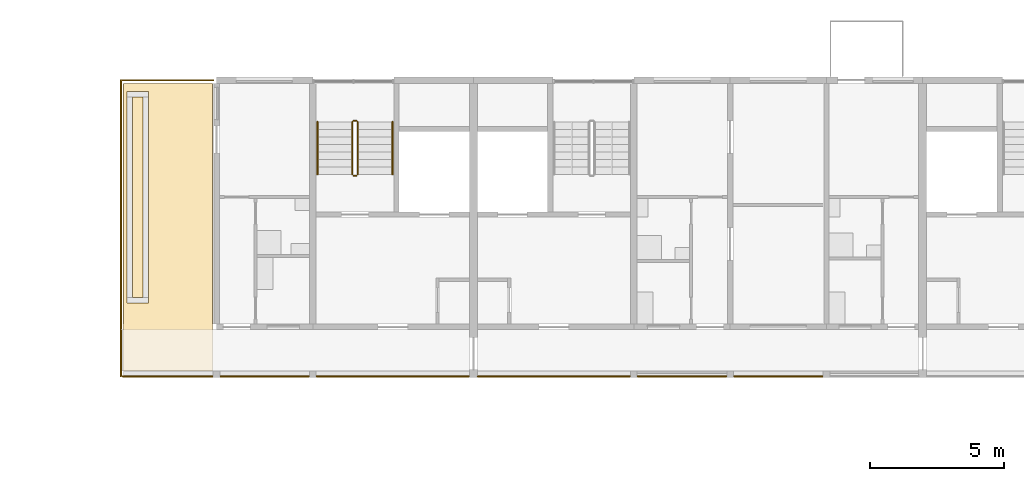
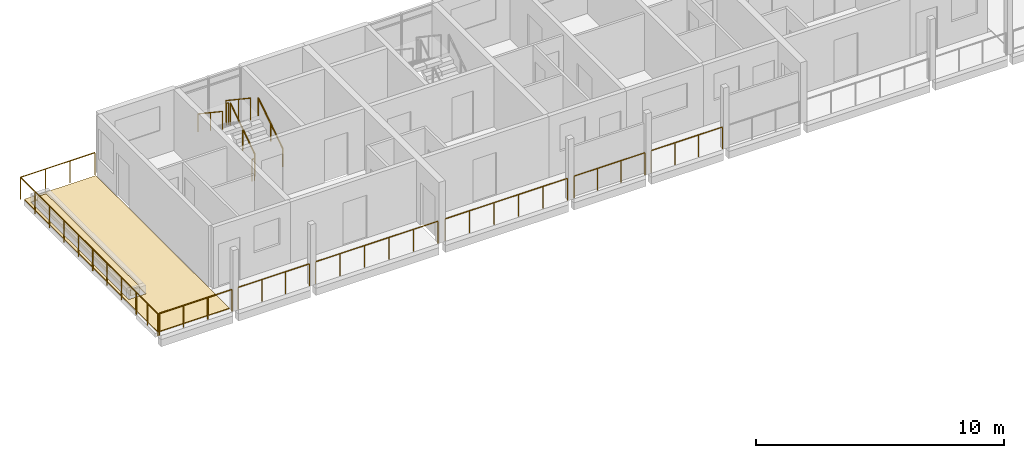
# One storey, part 75 of 94: 14 railings, 3 coverings.
"""IFC4 building model written with IfcOpenShell, lengths in metres."""

from ifc_helpers import new_model, si_unit, direction, frame, origin, origin_2d, place, context, subcontext, project, spatial, polyline, circle, outline, extrude, material, layer, layer_set, type_object, element, save


model = new_model("IFC4")

# Units and contexts
model_context = context("Model", 3, precision=1e-05, world=origin(), true_north=direction((0.0, 1.0)))
body_context = subcontext(model_context, "Body", "Model", "MODEL_VIEW")
ifc_project = project(units=[si_unit("LENGTHUNIT", "METRE"), si_unit("AREAUNIT", "SQUARE_METRE"), si_unit("VOLUMEUNIT", "CUBIC_METRE"), si_unit("PLANEANGLEUNIT", "RADIAN"), si_unit("MASSUNIT", "GRAM", prefix="KILO")], contexts=[model_context])

# Site, building, storey
site_placement = place(None, origin())
site = spatial("IfcSite", under=ifc_project, at=site_placement, CompositionType="ELEMENT")
building_placement = place(site_placement, origin())
building = spatial("IfcBuilding", under=site, at=building_placement, Name="Ridgestep Commons", CompositionType="ELEMENT")
storey_placement = place(building_placement, frame((0.0, 0.0, 21.0)))
storey = spatial("IfcBuildingStorey", under=building, at=storey_placement, Name="L07", CompositionType="ELEMENT", Elevation=21.0)

# Railings
ifc_material_1 = material(Name="Structural steel S355JR", Category="steel")
railing_type_1 = type_object("IfcRailingType", Name="Guard 1100", PredefinedType="GUARDRAIL", material=ifc_material_1)
railing_1_placement = place(storey_placement, frame((15.62109375, 67.821044921875, 0.0)))
element("IfcRailing", 1, at=railing_1_placement, inside=storey, type_object=railing_type_1, Name="Guard TD-B1R2-GD", PredefinedType="GUARDRAIL", context=body_context, shape_type="SweptSolid", body=[
    extrude(circle(Radius=0.02392578125, at=origin_2d()), frame((0.0, 0.0, 1.076171875), z_axis=(0.0, 1.0, 0.0), x_axis=(-1.0, 0.0, 0.0)), (0.0, 0.0, 1.0), 9.303955078125),
    extrude(circle(Radius=0.02392578125, at=origin_2d()), frame((0.0, 9.303955078125, 1.076171875), z_axis=(1.0, 0.0, 0.0), x_axis=(0.0, 1.0, 0.0)), (0.0, 0.0, 1.0), 3.4580078125),
    extrude(circle(Radius=0.02099609375, at=origin_2d()), origin(), (0.0, 0.0, 1.0), 1.052001953125),
    extrude(circle(Radius=0.02099609375, at=origin_2d()), frame((0.0, 1.1630859375, 0.0)), (0.0, 0.0, 1.0), 1.052001953125),
    extrude(circle(Radius=0.02099609375, at=origin_2d()), frame((0.0, 2.325927734375, 0.0)), (0.0, 0.0, 1.0), 1.052001953125),
    extrude(circle(Radius=0.02099609375, at=origin_2d()), frame((0.0, 3.489013671875, 0.0)), (0.0, 0.0, 1.0), 1.052001953125),
    extrude(circle(Radius=0.02099609375, at=origin_2d()), frame((0.0, 4.65185546875, 0.0)), (0.0, 0.0, 1.0), 1.052001953125),
    extrude(circle(Radius=0.02099609375, at=origin_2d()), frame((0.0, 5.81494140625, 0.0)), (0.0, 0.0, 1.0), 1.052001953125),
    extrude(circle(Radius=0.02099609375, at=origin_2d()), frame((0.0, 6.97802734375, 0.0)), (0.0, 0.0, 1.0), 1.052001953125),
    extrude(circle(Radius=0.02099609375, at=origin_2d()), frame((0.0, 8.140869140625, 0.0)), (0.0, 0.0, 1.0), 1.052001953125),
    extrude(circle(Radius=0.02099609375, at=origin_2d()), frame((0.0, 9.303955078125, 0.0)), (0.0, 0.0, 1.0), 1.052001953125),
    extrude(circle(Radius=0.02099609375, at=origin_2d()), frame((1.152587890625, 9.303955078125, 0.0)), (0.0, 0.0, 1.0), 1.052001953125),
    extrude(circle(Radius=0.02099609375, at=origin_2d()), frame((2.305419921875, 9.303955078125, 0.0)), (0.0, 0.0, 1.0), 1.052001953125),
    extrude(circle(Radius=0.02099609375, at=origin_2d()), frame((3.4580078125, 9.303955078125, 0.0)), (0.0, 0.0, 1.0), 1.052001953125),
])
railing_2_placement = place(storey_placement, frame((15.68408203125, 66.050048828125, 0.0)))
element("IfcRailing", 2, at=railing_2_placement, inside=storey, type_object=railing_type_1, Name="Gallery guard B 07.1", PredefinedType="GUARDRAIL", context=body_context, shape_type="SweptSolid", body=[
    extrude(circle(Radius=0.02392578125, at=origin_2d()), frame((0.0, 0.0, 1.076171875), z_axis=(1.0, 0.0, 0.0), x_axis=(0.0, 1.0, 0.0)), (0.0, 0.0, 1.0), 3.369873046875),
    extrude(circle(Radius=0.02099609375, at=origin_2d()), origin(), (0.0, 0.0, 1.0), 1.052001953125),
    extrude(circle(Radius=0.02099609375, at=origin_2d()), frame((1.123291015625, 0.0, 0.0)), (0.0, 0.0, 1.0), 1.052001953125),
    extrude(circle(Radius=0.02099609375, at=origin_2d()), frame((2.24658203125, 0.0, 0.0)), (0.0, 0.0, 1.0), 1.052001953125),
    extrude(circle(Radius=0.02099609375, at=origin_2d()), frame((3.369873046875, 0.0, 0.0)), (0.0, 0.0, 1.0), 1.052001953125),
])
railing_3_placement = place(storey_placement, frame((15.62109375, 66.050048828125, 0.0)))
element("IfcRailing", 3, at=railing_3_placement, inside=storey, type_object=railing_type_1, Name="Gallery end guard B 07.1W", PredefinedType="GUARDRAIL", context=body_context, shape_type="SweptSolid", body=[
    extrude(circle(Radius=0.02392578125, at=origin_2d()), frame((0.0, 0.0, 1.076171875), z_axis=(0.0, 1.0, 0.0), x_axis=(-1.0, 0.0, 0.0)), (0.0, 0.0, 1.0), 1.72900390625),
    extrude(circle(Radius=0.02099609375, at=origin_2d()), origin(), (0.0, 0.0, 1.0), 1.052001953125),
    extrude(circle(Radius=0.02099609375, at=origin_2d()), frame((0.0, 0.864501953125, 0.0)), (0.0, 0.0, 1.0), 1.052001953125),
    extrude(circle(Radius=0.02099609375, at=origin_2d()), frame((0.0, 1.72900390625, 0.0)), (0.0, 0.0, 1.0), 1.052001953125),
])
railing_4_placement = place(storey_placement, frame((19.345947265625, 66.050048828125, 0.0)))
element("IfcRailing", 4, at=railing_4_placement, inside=storey, type_object=railing_type_1, Name="Gallery guard B 07.2", PredefinedType="GUARDRAIL", context=body_context, shape_type="SweptSolid", body=[
    extrude(circle(Radius=0.02392578125, at=origin_2d()), frame((0.0, 0.0, 1.076171875), z_axis=(1.0, 0.0, 0.0), x_axis=(0.0, 1.0, 0.0)), (0.0, 0.0, 1.0), 3.30810546875),
    extrude(circle(Radius=0.02099609375, at=origin_2d()), origin(), (0.0, 0.0, 1.0), 1.052001953125),
    extrude(circle(Radius=0.02099609375, at=origin_2d()), frame((1.102783203125, 0.0, 0.0)), (0.0, 0.0, 1.0), 1.052001953125),
    extrude(circle(Radius=0.02099609375, at=origin_2d()), frame((2.205322265625, 0.0, 0.0)), (0.0, 0.0, 1.0), 1.052001953125),
    extrude(circle(Radius=0.02099609375, at=origin_2d()), frame((3.30810546875, 0.0, 0.0)), (0.0, 0.0, 1.0), 1.052001953125),
])
railing_5_placement = place(storey_placement, frame((22.946044921875, 66.050048828125, 0.0)))
element("IfcRailing", 5, at=railing_5_placement, inside=storey, type_object=railing_type_1, Name="Gallery guard B 07.3", PredefinedType="GUARDRAIL", context=body_context, shape_type="SweptSolid", body=[
    extrude(circle(Radius=0.02392578125, at=origin_2d()), frame((0.0, 0.0, 1.076171875), z_axis=(1.0, 0.0, 0.0), x_axis=(0.0, 1.0, 0.0)), (0.0, 0.0, 1.0), 5.682861328125),
    extrude(circle(Radius=0.02099609375, at=origin_2d()), origin(), (0.0, 0.0, 1.0), 1.052001953125),
    extrude(circle(Radius=0.02099609375, at=origin_2d()), frame((1.136474609375, 0.0, 0.0)), (0.0, 0.0, 1.0), 1.052001953125),
    extrude(circle(Radius=0.02099609375, at=origin_2d()), frame((2.273193359375, 0.0, 0.0)), (0.0, 0.0, 1.0), 1.052001953125),
    extrude(circle(Radius=0.02099609375, at=origin_2d()), frame((3.40966796875, 0.0, 0.0)), (0.0, 0.0, 1.0), 1.052001953125),
    extrude(circle(Radius=0.02099609375, at=origin_2d()), frame((4.54638671875, 0.0, 0.0)), (0.0, 0.0, 1.0), 1.052001953125),
    extrude(circle(Radius=0.02099609375, at=origin_2d()), frame((5.682861328125, 0.0, 0.0)), (0.0, 0.0, 1.0), 1.052001953125),
])
railing_6_placement = place(storey_placement, frame((28.970947265625, 66.050048828125, 0.0)))
element("IfcRailing", 6, at=railing_6_placement, inside=storey, type_object=railing_type_1, Name="Gallery guard B 07.4", PredefinedType="GUARDRAIL", context=body_context, shape_type="SweptSolid", body=[
    extrude(circle(Radius=0.02392578125, at=origin_2d()), frame((0.0, 0.0, 1.076171875), z_axis=(1.0, 0.0, 0.0), x_axis=(0.0, 1.0, 0.0)), (0.0, 0.0, 1.0), 5.68310546875),
    extrude(circle(Radius=0.02099609375, at=origin_2d()), origin(), (0.0, 0.0, 1.0), 1.052001953125),
    extrude(circle(Radius=0.02099609375, at=origin_2d()), frame((1.13671875, 0.0, 0.0)), (0.0, 0.0, 1.0), 1.052001953125),
    extrude(circle(Radius=0.02099609375, at=origin_2d()), frame((2.273193359375, 0.0, 0.0)), (0.0, 0.0, 1.0), 1.052001953125),
    extrude(circle(Radius=0.02099609375, at=origin_2d()), frame((3.409912109375, 0.0, 0.0)), (0.0, 0.0, 1.0), 1.052001953125),
    extrude(circle(Radius=0.02099609375, at=origin_2d()), frame((4.54638671875, 0.0, 0.0)), (0.0, 0.0, 1.0), 1.052001953125),
    extrude(circle(Radius=0.02099609375, at=origin_2d()), frame((5.68310546875, 0.0, 0.0)), (0.0, 0.0, 1.0), 1.052001953125),
])
railing_7_placement = place(storey_placement, frame((34.946044921875, 66.050048828125, 0.0)))
element("IfcRailing", 7, at=railing_7_placement, inside=storey, type_object=railing_type_1, Name="Gallery guard B 07.5", PredefinedType="GUARDRAIL", context=body_context, shape_type="SweptSolid", body=[
    extrude(circle(Radius=0.02392578125, at=origin_2d()), frame((0.0, 0.0, 1.076171875), z_axis=(1.0, 0.0, 0.0), x_axis=(0.0, 1.0, 0.0)), (0.0, 0.0, 1.0), 3.307861328125),
    extrude(circle(Radius=0.02099609375, at=origin_2d()), origin(), (0.0, 0.0, 1.0), 1.052001953125),
    extrude(circle(Radius=0.02099609375, at=origin_2d()), frame((1.1025390625, 0.0, 0.0)), (0.0, 0.0, 1.0), 1.052001953125),
    extrude(circle(Radius=0.02099609375, at=origin_2d()), frame((2.205322265625, 0.0, 0.0)), (0.0, 0.0, 1.0), 1.052001953125),
    extrude(circle(Radius=0.02099609375, at=origin_2d()), frame((3.307861328125, 0.0, 0.0)), (0.0, 0.0, 1.0), 1.052001953125),
])
railing_8_placement = place(storey_placement, frame((38.5458984375, 66.050048828125, 0.0)))
element("IfcRailing", 8, at=railing_8_placement, inside=storey, type_object=railing_type_1, Name="Gallery guard B 07.6", PredefinedType="GUARDRAIL", context=body_context, shape_type="SweptSolid", body=[
    extrude(circle(Radius=0.02392578125, at=origin_2d()), frame((0.0, 0.0, 1.076171875), z_axis=(1.0, 0.0, 0.0), x_axis=(0.0, 1.0, 0.0)), (0.0, 0.0, 1.0), 3.30810546875),
    extrude(circle(Radius=0.02099609375, at=origin_2d()), origin(), (0.0, 0.0, 1.0), 1.052001953125),
    extrude(circle(Radius=0.02099609375, at=origin_2d()), frame((1.102783203125, 0.0, 0.0)), (0.0, 0.0, 1.0), 1.052001953125),
    extrude(circle(Radius=0.02099609375, at=origin_2d()), frame((2.205322265625, 0.0, 0.0)), (0.0, 0.0, 1.0), 1.052001953125),
    extrude(circle(Radius=0.02099609375, at=origin_2d()), frame((3.30810546875, 0.0, 0.0)), (0.0, 0.0, 1.0), 1.052001953125),
])

# Covering
ifc_material_2 = material(Name="Planting soil")
ifc_layer_1 = layer(ifc_material_2, 0.35009765625)
ifc_layer_set_1 = layer_set([ifc_layer_1], Name="Planting soil 350")
covering_type_1 = type_object("IfcCoveringType", Name="Planting soil 350", PredefinedType="FLOORING", material=ifc_layer_set_1)
covering_1_placement = place(storey_placement, frame((0.0, 0.0, 0.010009765625)))
element("IfcCovering", 9, at=covering_1_placement, inside=storey, type_object=covering_type_1, Name="Planting soil B1R2", PredefinedType="FLOORING", context=body_context, shape_type="SweptSolid", body=[
    extrude(outline(polyline([(16.050048828125, 69.0), (16.449951171875, 69.0), (16.449951171875, 76.5), (16.050048828125, 76.5), (16.050048828125, 69.0)])), origin(), (0.0, 0.0, 1.0), 0.35009765625),
])

# Railings
ifc_material_3 = material(Name="Structural steel S355JR", Category="steel")
railing_type_2 = type_object("IfcRailingType", Name="Stair guard 1100", PredefinedType="GUARDRAIL", material=ifc_material_3)
railing_9_placement = place(storey_placement, frame((24.47509765625, 73.60009765625, 0.1875)))
element("IfcRailing", 10, at=railing_9_placement, inside=storey, type_object=railing_type_2, Name="L07 B1C stair guard 1", PredefinedType="GUARDRAIL", context=body_context, shape_type="SweptSolid", body=[
    extrude(circle(Radius=0.02392578125, at=origin_2d()), frame((0.0, 0.0, 1.076171875), z_axis=(0.0, 0.830902050051, 0.556418712142), x_axis=(-1.0, 0.0, 0.0)), (0.0, 0.0, 1.0), 2.35888671875),
    extrude(circle(Radius=0.02099609375, at=origin_2d()), origin(), (0.0, 0.0, 1.0), 1.052001953125),
    extrude(circle(Radius=0.02099609375, at=origin_2d()), frame((0.0, 0.97998046875, 0.65625)), (0.0, 0.0, 1.0), 1.052001953125),
    extrude(circle(Radius=0.02099609375, at=origin_2d()), frame((0.0, 1.9599609375, 1.3125)), (0.0, 0.0, 1.0), 1.052001953125),
])
railing_10_placement = place(storey_placement, frame((24.425048828125, 75.610107421875, 1.5)))
element("IfcRailing", 11, at=railing_10_placement, inside=storey, type_object=railing_type_2, Name="L07 B1C stair guard 2", PredefinedType="GUARDRAIL", context=body_context, shape_type="SweptSolid", body=[
    extrude(circle(Radius=0.02392578125, at=origin_2d()), frame((0.0, 0.0, 1.076171875), z_axis=(-1.0, 0.0, 0.0), x_axis=(0.0, -1.0, 0.0)), (0.0, 0.0, 1.0), 0.10009765625),
    extrude(circle(Radius=0.02099609375, at=origin_2d()), origin(), (0.0, 0.0, 1.0), 1.052001953125),
    extrude(circle(Radius=0.02099609375, at=origin_2d()), frame((-0.10009765625, 0.0, 0.0)), (0.0, 0.0, 1.0), 1.052001953125),
])
railing_11_placement = place(storey_placement, frame((24.27490234375, 75.56005859375, 1.6875)))
element("IfcRailing", 12, at=railing_11_placement, inside=storey, type_object=railing_type_2, Name="L07 B1C stair guard 3", PredefinedType="GUARDRAIL", context=body_context, shape_type="SweptSolid", body=[
    extrude(circle(Radius=0.02392578125, at=origin_2d()), frame((0.0, 0.0, 1.076171875), z_axis=(0.0, -0.830902050051, 0.556418712142), x_axis=(1.0, 0.0, 0.0)), (0.0, 0.0, 1.0), 2.35888671875),
    extrude(circle(Radius=0.02099609375, at=origin_2d()), origin(), (0.0, 0.0, 1.0), 1.052001953125),
    extrude(circle(Radius=0.02099609375, at=origin_2d()), frame((0.0, -0.97998046875, 0.65625)), (0.0, 0.0, 1.0), 1.052001953125),
    extrude(circle(Radius=0.02099609375, at=origin_2d()), frame((0.0, -1.9599609375, 1.3125)), (0.0, 0.0, 1.0), 1.052001953125),
])
railing_12_placement = place(storey_placement, frame((24.425048828125, 73.550048828125, 0.0)))
element("IfcRailing", 13, at=railing_12_placement, inside=storey, type_object=railing_type_2, Name="L07 B1C stair guard 4", PredefinedType="GUARDRAIL", context=body_context, shape_type="SweptSolid", body=[
    extrude(circle(Radius=0.02392578125, at=origin_2d()), frame((0.0, 0.0, 1.076171875), z_axis=(-1.0, 0.0, 0.0), x_axis=(0.0, -1.0, 0.0)), (0.0, 0.0, 1.0), 0.10009765625),
    extrude(circle(Radius=0.02099609375, at=origin_2d()), origin(), (0.0, 0.0, 1.0), 1.052001953125),
    extrude(circle(Radius=0.02099609375, at=origin_2d()), frame((-0.10009765625, 0.0, 0.0)), (0.0, 0.0, 1.0), 1.052001953125),
])
ifc_material_4 = material(Name="Structural steel S355JR", Category="steel")
railing_type_3 = type_object("IfcRailingType", Name="Stair handrail 900", PredefinedType="HANDRAIL", material=ifc_material_4)
railing_13_placement = place(storey_placement, frame((25.77490234375, 73.60009765625, 0.1875)))
element("IfcRailing", 14, at=railing_13_placement, inside=storey, type_object=railing_type_3, Name="L07 B1C stair handrail 1", PredefinedType="HANDRAIL", context=body_context, shape_type="SweptSolid", body=[
    extrude(circle(Radius=0.02392578125, at=origin_2d()), frame((0.0, 0.0, 0.8759765625), z_axis=(0.0, 0.830902050051, 0.556418712142), x_axis=(-1.0, 0.0, 0.0)), (0.0, 0.0, 1.0), 2.35888671875),
    extrude(circle(Radius=0.02099609375, at=origin_2d()), origin(), (0.0, 0.0, 1.0), 0.851806640625),
    extrude(circle(Radius=0.02099609375, at=origin_2d()), frame((0.0, 0.97998046875, 0.65625)), (0.0, 0.0, 1.0), 0.851806640625),
    extrude(circle(Radius=0.02099609375, at=origin_2d()), frame((0.0, 1.9599609375, 1.3125)), (0.0, 0.0, 1.0), 0.851806640625),
])
railing_14_placement = place(storey_placement, frame((22.97509765625, 75.56005859375, 1.6875)))
element("IfcRailing", 15, at=railing_14_placement, inside=storey, type_object=railing_type_3, Name="L07 B1C stair handrail 2", PredefinedType="HANDRAIL", context=body_context, shape_type="SweptSolid", body=[
    extrude(circle(Radius=0.02392578125, at=origin_2d()), frame((0.0, 0.0, 0.8759765625), z_axis=(0.0, -0.830902050051, 0.556418712142), x_axis=(1.0, 0.0, 0.0)), (0.0, 0.0, 1.0), 2.35888671875),
    extrude(circle(Radius=0.02099609375, at=origin_2d()), origin(), (0.0, 0.0, 1.0), 0.851806640625),
    extrude(circle(Radius=0.02099609375, at=origin_2d()), frame((0.0, -0.97998046875, 0.65625)), (0.0, 0.0, 1.0), 0.851806640625),
    extrude(circle(Radius=0.02099609375, at=origin_2d()), frame((0.0, -1.9599609375, 1.3125)), (0.0, 0.0, 1.0), 0.851806640625),
])

# Coverings
ifc_material_5 = material(Name="Bitumen membrane, two layer")
ifc_layer_2 = layer(ifc_material_5, 0.010009765625)
ifc_layer_set_2 = layer_set([ifc_layer_2], Name="Terrace membrane 10")
covering_type_2 = type_object("IfcCoveringType", Name="Terrace membrane 10", PredefinedType="ROOFING", material=ifc_layer_set_2)
covering_2_placement = place(storey_placement, origin())
element("IfcCovering", 16, at=covering_2_placement, inside=storey, type_object=covering_type_2, Name="Terrace membrane B1R2", PredefinedType="ROOFING", context=body_context, shape_type="SweptSolid", body=[
    extrude(outline(polyline([(19.050048828125, 66.25), (19.050048828125, 77.0), (15.72509765625, 77.0), (15.72509765625, 66.25), (19.050048828125, 66.25)]), holes=[polyline([(16.64990234375, 68.800048828125), (16.64990234375, 76.699951171875), (15.85009765625, 76.699951171875), (15.85009765625, 68.800048828125), (16.64990234375, 68.800048828125)])]), origin(), (0.0, 0.0, 1.0), 0.010009765625),
])
ifc_material_6 = material(Name="Concrete paving slab", Category="concrete")
ifc_layer_3 = layer(ifc_material_6, 0.030029296875)
ifc_layer_set_3 = layer_set([ifc_layer_3], Name="Terrace paving 30")
covering_type_3 = type_object("IfcCoveringType", Name="Terrace paving 30", PredefinedType="FLOORING", material=ifc_layer_set_3)
covering_3_placement = place(storey_placement, frame((0.0, 0.0, 0.010009765625)))
element("IfcCovering", 17, at=covering_3_placement, inside=storey, type_object=covering_type_3, Name="Terrace paving B1R2", PredefinedType="FLOORING", context=body_context, shape_type="SweptSolid", body=[
    extrude(outline(polyline([(19.050048828125, 66.25), (19.050048828125, 77.0), (15.72509765625, 77.0), (15.72509765625, 66.25), (19.050048828125, 66.25)]), holes=[polyline([(16.64990234375, 68.800048828125), (16.64990234375, 76.699951171875), (15.85009765625, 76.699951171875), (15.85009765625, 68.800048828125), (16.64990234375, 68.800048828125)])]), origin(), (0.0, 0.0, 1.0), 0.030029296875),
])

save(model, "model.ifc")
